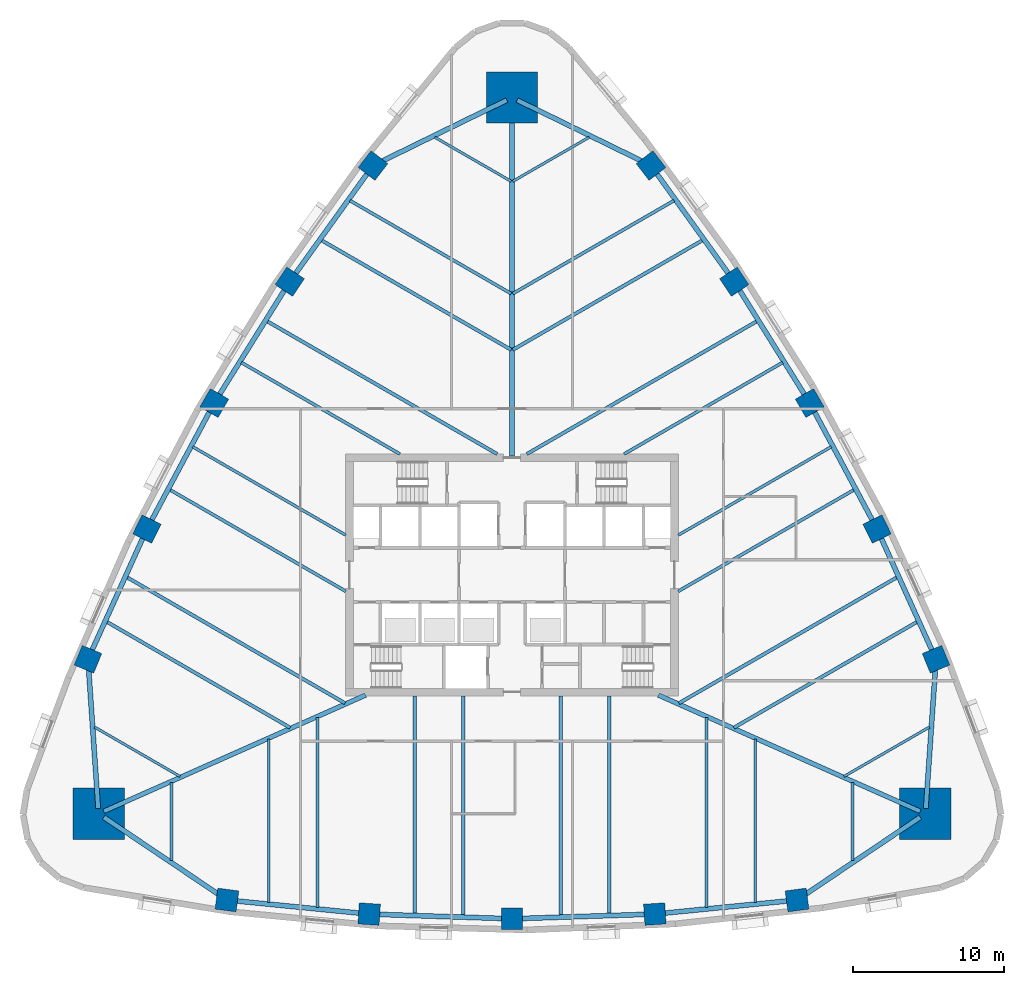
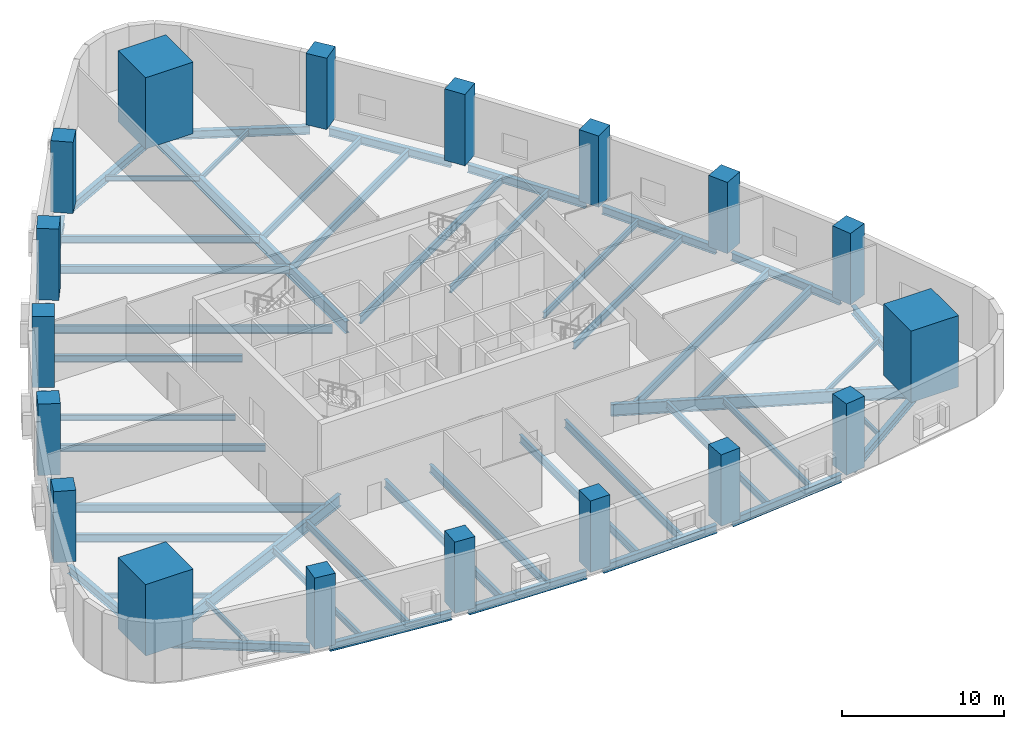
# One storey, part 1 of 11: 51 beams, 18 columns.
"""IFC4 building model written with IfcOpenShell, lengths in metres."""

import ifcopenshell
import ifcopenshell.guid

model = None  # the IFC model being written
_history = None  # IfcOwnerHistory: only IFC2X3 demands one
_inside = {}  # id of a spatial element -> (the spatial element, [elements in it])
_under = {}  # id of a project, library or spatial element -> (it, [spatial elements below it])
_declared = {}  # id of a project -> (the project, [libraries it declares])
_typed = {}  # id of a type object -> (the type object, [elements of that type])
_made_of = {}  # id of a material, layer set ... -> (it, [elements and type objects made of it])


def new_model(schema):
    """Start an empty IFC model of exactly this schema.

    Asked for "IFC4X3", IfcOpenShell would pick the latest addendum, in which some entities
    have other attributes; the version numbers below select the first issue.
    IFC2X3 requires an IfcOwnerHistory on every rooted entity: one is made here for all.
    """
    global model, _history
    if schema == "IFC4X3":
        model = ifcopenshell.file(schema_version=(4, 3, 0, 0))
    else:
        model = ifcopenshell.file(schema=schema)
    _inside.clear()
    _under.clear()
    _declared.clear()
    _typed.clear()
    _made_of.clear()
    _history = None
    if model.schema == "IFC2X3":
        org = make("IfcOrganization", Name="unknown")
        user = make(
            "IfcPersonAndOrganization",
            ThePerson=make("IfcPerson", FamilyName="unknown"),
            TheOrganization=org,
        )
        app = make(
            "IfcApplication",
            ApplicationDeveloper=org,
            Version="unknown",
            ApplicationFullName="unknown",
            ApplicationIdentifier="unknown",
        )
        _history = make(
            "IfcOwnerHistory",
            OwningUser=user,
            OwningApplication=app,
            ChangeAction="ADDED",
            CreationDate=0,
        )
    return model


def make(cls, **values):
    """One entity of the class cls with the attributes given. An attribute that is None is left unset."""
    return model.create_entity(
        cls, **{name: value for name, value in values.items() if value is not None}
    )


def rooted(cls, **values):
    """An entity with a GlobalId (a new one), such as an element, a storey or a relation."""
    return make(cls, GlobalId=ifcopenshell.guid.new(), OwnerHistory=_history, **values)


def si_unit(unit_type, name, prefix=None):
    """IfcSIUnit, for example si_unit("LENGTHUNIT", "METRE", prefix="MILLI")."""
    return make("IfcSIUnit", UnitType=unit_type, Prefix=prefix, Name=name)


def assignment(units):
    """IfcUnitAssignment: the units of a project."""
    return None if units is None else make("IfcUnitAssignment", Units=units)


def point(xyz):
    """IfcCartesianPoint."""
    return None if xyz is None else make("IfcCartesianPoint", Coordinates=xyz)


def direction(xyz):
    """IfcDirection."""
    return None if xyz is None else make("IfcDirection", DirectionRatios=xyz)


def frame(location, z_axis=None, x_axis=None):
    """IfcAxis2Placement3D, a coordinate frame: its origin and axes. An axis left out is left unset."""
    return make(
        "IfcAxis2Placement3D",
        Location=point(location),
        Axis=direction(z_axis),
        RefDirection=direction(x_axis),
    )


def frame_2d(location, x_axis=None):
    """IfcAxis2Placement2D, a coordinate frame in the plane: its origin and x axis."""
    return make(
        "IfcAxis2Placement2D", Location=point(location), RefDirection=direction(x_axis)
    )


def origin():
    """The frame at (0, 0, 0) with its axes left unset."""
    return frame((0.0, 0.0, 0.0))


def origin_2d():
    """The frame at (0, 0) in the plane with its x axis left unset."""
    return frame_2d((0.0, 0.0))


def place(relative_to, where):
    """IfcLocalPlacement: puts the frame where relative to a parent placement (None: the world)."""
    return make(
        "IfcLocalPlacement", PlacementRelTo=relative_to, RelativePlacement=where
    )


def context(
    kind, dimensions, precision=None, world=None, true_north=None, identifier=None
):
    """IfcGeometricRepresentationContext, for example the 3D "Model" context."""
    return make(
        "IfcGeometricRepresentationContext",
        ContextIdentifier=identifier,
        ContextType=kind,
        CoordinateSpaceDimension=dimensions,
        Precision=precision,
        WorldCoordinateSystem=world,
        TrueNorth=true_north,
    )


def subcontext(parent, identifier, kind, view, scale=None):
    """IfcGeometricRepresentationSubContext, for example "Body" below "Model"."""
    return make(
        "IfcGeometricRepresentationSubContext",
        ContextIdentifier=identifier,
        ContextType=kind,
        ParentContext=parent,
        TargetScale=scale,
        TargetView=view,
    )


def project(units=None, contexts=None):
    """IfcProject with its units and contexts."""
    return rooted(
        "IfcProject",
        Name="project",
        RepresentationContexts=contexts,
        UnitsInContext=assignment(units),
    )


def spatial(cls, under=None, at=None, **own):
    """A site, building, storey or space (cls), placed at a placement, below another one or the project."""
    s = rooted(cls, ObjectPlacement=at, **own)
    if under is not None:
        _under.setdefault(under.id(), (under, []))[1].append(s)
    return s


def profile(cls, at=None, kind="AREA", **sizes):
    """A parametric profile (cls). Its sizes go by their IFC names, for example OverallWidth=200.0."""
    return make(cls, ProfileType=kind, Position=at, **sizes)


def rectangle(**sizes):
    """IfcRectangleProfileDef."""
    return profile("IfcRectangleProfileDef", **sizes)


def i_section(**sizes):
    """IfcIShapeProfileDef."""
    return profile("IfcIShapeProfileDef", **sizes)


def extrude(swept, where, along, depth):
    """IfcExtrudedAreaSolid: the profile swept, set in the frame where, extruded along a direction by depth."""
    return make(
        "IfcExtrudedAreaSolid",
        SweptArea=swept,
        Position=where,
        ExtrudedDirection=direction(along),
        Depth=depth,
    )


def clip(a, b, op="DIFFERENCE"):
    """IfcBooleanClippingResult: the solid a cut by the half space b."""
    return make(
        "IfcBooleanClippingResult", Operator=op, FirstOperand=a, SecondOperand=b
    )


def halfspace(plane, agree):
    """IfcHalfSpaceSolid: all space on one side of the plane z = 0 of the frame plane."""
    return make(
        "IfcHalfSpaceSolid",
        BaseSurface=make("IfcPlane", Position=plane),
        AgreementFlag=agree,
    )


def shape(context_of_items, identifier, shape_type, items):
    """IfcShapeRepresentation: the items that make up one representation, for example the "Body"."""
    return make(
        "IfcShapeRepresentation",
        ContextOfItems=context_of_items,
        RepresentationIdentifier=identifier,
        RepresentationType=shape_type,
        Items=items,
    )


def material(Name=None, Category=None):
    """IfcMaterial."""
    return make("IfcMaterial", Name=Name, Category=Category)


def material_profile(
    of_material, cross_section, Name=None, Category=None, Priority=None
):
    """IfcMaterialProfile: a cross section and its material."""
    return make(
        "IfcMaterialProfile",
        Name=Name,
        Material=of_material,
        Profile=cross_section,
        Priority=Priority,
        Category=Category,
    )


def profile_set(profiles, Name=None, composite=None):
    """IfcMaterialProfileSet."""
    return make(
        "IfcMaterialProfileSet",
        Name=Name,
        MaterialProfiles=profiles,
        CompositeProfile=composite,
    )


def made_of(thing, what):
    """Note that an element or type object is made of a material, layer set ...; save() writes the relation."""
    if what is not None:
        _made_of.setdefault(what.id(), (what, []))[1].append(thing)
    return thing


def type_object(cls, material=None, **own):
    """A type object (cls), such as IfcWallType, which elements share."""
    return made_of(rooted(cls, **own), material)


def element(
    cls,
    number,
    at=None,
    inside=None,
    cuts=None,
    type_object=None,
    material=None,
    context=None,
    identifier="Body",
    shape_type=None,
    held_by="IfcProductDefinitionShape",
    body=None,
    shapes=None,
    **own,
):
    """One element of the class cls, such as IfcWall. Its Tag is "e" and its number.

    at: its placement. inside: the storey or other place that contains it. cuts: it is an
    opening in that element (IfcRelVoidsElement). A single representation is given by context,
    identifier, shape_type and body (its items); several are given by shapes. held_by: the class
    of the entity that holds the representations. save() writes the other relations.
    """
    e = rooted(cls, Tag="e%d" % number, ObjectPlacement=at, **own)
    if body is not None:
        shapes = [shape(context, identifier, shape_type, body)]
    if shapes is not None:
        e.Representation = make(held_by, Representations=shapes)
    if inside is not None:
        _inside.setdefault(inside.id(), (inside, []))[1].append(e)
    if cuts is not None:
        rooted(
            "IfcRelVoidsElement", RelatingBuildingElement=cuts, RelatedOpeningElement=e
        )
    if type_object is not None:
        _typed.setdefault(type_object.id(), (type_object, []))[1].append(e)
    return made_of(e, material)


def aggregate(whole, parts):
    """IfcRelAggregates: a whole, such as a stair, and the parts it consists of."""
    return rooted("IfcRelAggregates", RelatingObject=whole, RelatedObjects=parts)


def save(model, path):
    """Write the relations noted so far, then the file.

    IfcRelAggregates (storeys below a building ...), IfcRelContainedInSpatialStructure (elements
    in a storey), IfcRelDefinesByType, IfcRelAssociatesMaterial and IfcRelDeclares: one each for
    every whole, place, type object, material and project.
    """
    for whole, parts in _under.values():
        aggregate(whole, parts)
    for where, things in _inside.values():
        rooted(
            "IfcRelContainedInSpatialStructure",
            RelatedElements=things,
            RelatingStructure=where,
        )
    for kind, things in _typed.values():
        rooted("IfcRelDefinesByType", RelatedObjects=things, RelatingType=kind)
    for what, things in _made_of.values():
        rooted("IfcRelAssociatesMaterial", RelatedObjects=things, RelatingMaterial=what)
    for by, libraries in _declared.values():
        rooted("IfcRelDeclares", RelatingContext=by, RelatedDefinitions=libraries)
    model.write(path)


model = new_model("IFC4")

# Units and contexts
model_context = context("Model", 3, precision=1e-05, world=origin(), true_north=direction((0.0, 1.0)))
body_context = subcontext(model_context, "Body", "Model", "MODEL_VIEW")
ifc_project = project(units=[si_unit("LENGTHUNIT", "METRE"), si_unit("AREAUNIT", "SQUARE_METRE"), si_unit("VOLUMEUNIT", "CUBIC_METRE"), si_unit("PLANEANGLEUNIT", "RADIAN"), si_unit("MASSUNIT", "GRAM", prefix="KILO")], contexts=[model_context])

# Site, building, storey
site_placement = place(None, origin())
site = spatial("IfcSite", under=ifc_project, at=site_placement, CompositionType="ELEMENT")
building_placement = place(site_placement, origin())
building = spatial("IfcBuilding", under=site, at=building_placement, Name="Sierra Prisma Convention Tower", CompositionType="ELEMENT")
storey_placement = place(building_placement, frame((0.0, 0.0, 28.800048828125)))
storey = spatial("IfcBuildingStorey", under=building, at=storey_placement, Name="L04", CompositionType="ELEMENT", Elevation=28.800048828125)

# Columns
ifc_material_1 = material(Name="Concrete C70/85", Category="concrete")
ifc_material_profile_1 = material_profile(ifc_material_1, rectangle(XDim=3.39990234375, YDim=3.39990234375, at=origin_2d()), Name="Mega column RC 3400 C70/85")
ifc_profile_set_1 = profile_set([ifc_material_profile_1], Name="Concrete C70/85")
column_type_1 = type_object("IfcColumnType", Name="Mega column RC 3400 C70/85", PredefinedType="COLUMN", material=ifc_profile_set_1)
for number, where, z_axis, x_axis, name in (
    (1, (27.35498046875, -15.79345703125, 0.0), (0.0, 0.0, 1.0), (1.0, 0.0, 0.0), "Mega column SE L04"),
    (2, (0.0, 31.5869140625, 0.0), (0.0, 0.0, 1.0), (1.0, 0.0, 0.0), "Mega column N L04"),
    (3, (-27.35498046875, -15.79345703125, 0.0), (0.0, 0.0, 1.0), (1.0, 0.0, 0.0), "Mega column SW L04"),
):
    element("IfcColumn", number, at=place(storey_placement, frame(where, z_axis=z_axis, x_axis=x_axis)), inside=storey, type_object=column_type_1, Name=name, PredefinedType="COLUMN", context=body_context, shape_type="SweptSolid", body=[
        extrude(rectangle(XDim=3.39990234375, YDim=3.39990234375, at=origin_2d()), origin(), (0.0, 0.0, 1.0), 5.39990234375),
    ])
ifc_material_2 = material(Name="Concrete C70/85", Category="concrete")
ifc_material_profile_2 = material_profile(ifc_material_2, rectangle(XDim=1.39990234375, YDim=1.39990234375, at=origin_2d()), Name="Perimeter column RC 1400 C70/85")
ifc_profile_set_2 = profile_set([ifc_material_profile_2], Name="Concrete C70/85")
column_type_2 = type_object("IfcColumnType", Name="Perimeter column RC 1400 C70/85", PredefinedType="COLUMN", material=ifc_profile_set_2)
for number, where, z_axis, x_axis, name in (
    (4, (-18.85986328125, -21.50830078125, 0.0), (0.0, 0.0, 1.0), (-0.991367231014, 0.131114504428, 0.0), "Perimeter column S-1 L04"),
    (5, (-9.450439453125, -22.439208984375, 0.0), (0.0, 0.0, 1.0), (-0.997839473817, 0.06569919705, 0.0), "Perimeter column S-2 L04"),
    (6, (0.0, -22.75, 0.0), (0.0, 0.0, 1.0), (1.0, 0.0, 0.0), "Perimeter column S-3 L04"),
    (7, (9.450439453125, -22.439208984375, 0.0), (0.0, 0.0, 1.0), (0.997839473817, 0.06569919705, 0.0), "Perimeter column S-4 L04"),
    (8, (18.85986328125, -21.50830078125, 0.0), (0.0, 0.0, 1.0), (0.991367231014, 0.131114504428, 0.0), "Perimeter column S-5 L04"),
):
    element("IfcColumn", number, at=place(storey_placement, frame(where, z_axis=z_axis, x_axis=x_axis)), inside=storey, type_object=column_type_2, Name=name, PredefinedType="COLUMN", context=body_context, shape_type="SweptSolid", body=[
        extrude(rectangle(XDim=1.39990234375, YDim=1.39990234375, at=origin_2d()), origin(), (0.0, 0.0, 1.0), 5.39990234375),
    ])
for number, where, z_axis, x_axis, name in (
    (9, (28.056640625, -5.5791015625, 0.0), (0.0, 0.0, 1.0), (-0.382135123868, 0.924106458752, 0.0), "Perimeter column NE-1 L04"),
    (10, (24.158203125, 3.035400390625, 0.0), (0.0, 0.0, 1.0), (-0.442022563255, 0.897003931749, 0.0), "Perimeter column NE-2 L04"),
    (11, (19.7021484375, 11.375, 0.0), (0.0, 0.0, 1.0), (-0.5, 0.866025403784, 0.0), "Perimeter column NE-3 L04"),
    (12, (14.707763671875, 19.40380859375, 0.0), (0.0, 0.0, 1.0), (-0.555816910562, 0.8313047347, 0.0), "Perimeter column NE-4 L04"),
    (13, (9.19677734375, 27.08740234375, 0.0), (0.0, 0.0, 1.0), (-0.609232107146, 0.792991954324, 0.0), "Perimeter column NE-5 L04"),
    (14, (-9.19677734375, 27.08740234375, 0.0), (0.0, 0.0, 1.0), (0.609232107146, 0.792991954324, 0.0), "Perimeter column NW-1 L04"),
    (15, (-14.707763671875, 19.40380859375, 0.0), (0.0, 0.0, 1.0), (0.555816910562, 0.8313047347, 0.0), "Perimeter column NW-2 L04"),
    (16, (-19.7021484375, 11.375, 0.0), (0.0, 0.0, 1.0), (0.5, 0.866025403784, 0.0), "Perimeter column NW-3 L04"),
    (17, (-24.158203125, 3.035400390625, 0.0), (0.0, 0.0, 1.0), (0.442022563255, 0.897003931749, 0.0), "Perimeter column NW-4 L04"),
    (18, (-28.056640625, -5.5791015625, 0.0), (0.0, 0.0, 1.0), (0.382135123868, 0.924106458752, 0.0), "Perimeter column NW-5 L04"),
):
    element("IfcColumn", number, at=place(storey_placement, frame(where, z_axis=z_axis, x_axis=x_axis)), inside=storey, type_object=column_type_2, Name=name, PredefinedType="COLUMN", context=body_context, shape_type="SweptSolid", body=[
        clip(extrude(rectangle(XDim=1.39990234375, YDim=1.39990234375, at=origin_2d()), origin(), (0.0, 0.0, 1.0), 5.39990234375), halfspace(frame((0.0, 0.0, 5.394287109375)), False)),
    ])

# Beams
ifc_material_3 = material(Name="Steel ASTM A992 Gr 50", Category="steel")
ifc_material_profile_3 = material_profile(ifc_material_3, i_section(OverallWidth=0.172119140625, OverallDepth=0.35791015625, WebThickness=0.0078125, FlangeThickness=0.01318359375, at=origin_2d()), Name="W360x57")
ifc_profile_set_3 = profile_set([ifc_material_profile_3], Name="Steel ASTM A992 Gr 50")
beam_type_1 = type_object("IfcBeamType", Name="Floor joist W360x57", PredefinedType="JOIST", material=ifc_profile_set_3)
for number, where, z_axis, x_axis, name in (
    (19, (-22.52783203125, -18.89501953125, -0.428955078125), (0.0, 1.0, 0.0), (-1.0, 0.0, 0.0), "Floor joist L04 S02"),
    (20, (22.52783203125, -18.89501953125, -0.428955078125), (0.0, 1.0, 0.0), (-1.0, 0.0, 0.0), "Floor joist L04 S16"),
):
    element("IfcBeam", number, at=place(storey_placement, frame(where, z_axis=z_axis, x_axis=x_axis)), inside=storey, type_object=beam_type_1, Name=name, PredefinedType="JOIST", context=body_context, shape_type="SweptSolid", body=[
        extrude(i_section(OverallWidth=0.172119140625, OverallDepth=0.35791015625, WebThickness=0.0078125, FlangeThickness=0.01318359375, at=origin_2d()), origin(), (0.0, 0.0, 1.0), 5.177978515625),
    ])
beam_1_placement = place(storey_placement, frame((27.62744140625, -10.06201171875, -0.428955078125), z_axis=(-0.866022747659, -0.500004600516, 0.0), x_axis=(0.500004600516, -0.866022747659, 0.0)))
element("IfcBeam", 21, at=beam_1_placement, inside=storey, type_object=beam_type_1, Name="Floor joist L04 NE02", PredefinedType="JOIST", context=body_context, shape_type="SweptSolid", body=[
    extrude(i_section(OverallWidth=0.172119140625, OverallDepth=0.35791015625, WebThickness=0.0078125, FlangeThickness=0.01318359375, at=origin_2d()), origin(), (0.0, 0.0, 1.0), 6.54150390625),
])
for number, where, z_axis, x_axis, name in (
    (22, (5.099609375, 28.95703125, -0.428955078125), (-0.866024171998, -0.500002133511, 0.0), (0.500002133511, -0.866024171998, 0.0), "Floor joist L04 NE16"),
    (23, (-5.099609375, 28.95703125, -0.428955078125), (0.866024171998, -0.500002133511, 0.0), (0.500002133511, 0.866024171998, 0.0), "Floor joist L04 NW02"),
):
    element("IfcBeam", number, at=place(storey_placement, frame(where, z_axis=z_axis, x_axis=x_axis)), inside=storey, type_object=beam_type_1, Name=name, PredefinedType="JOIST", context=body_context, shape_type="SweptSolid", body=[
        extrude(i_section(OverallWidth=0.172119140625, OverallDepth=0.35791015625, WebThickness=0.0078125, FlangeThickness=0.01318359375, at=origin_2d()), origin(), (0.0, 0.0, 1.0), 5.818359375),
    ])
beam_2_placement = place(storey_placement, frame((-27.62744140625, -10.06201171875, -0.428955078125), z_axis=(0.866022747659, -0.500004600516, 0.0), x_axis=(0.500004600516, 0.866022747659, 0.0)))
element("IfcBeam", 24, at=beam_2_placement, inside=storey, type_object=beam_type_1, Name="Floor joist L04 NW16", PredefinedType="JOIST", context=body_context, shape_type="SweptSolid", body=[
    extrude(i_section(OverallWidth=0.172119140625, OverallDepth=0.35791015625, WebThickness=0.0078125, FlangeThickness=0.01318359375, at=origin_2d()), origin(), (0.0, 0.0, 1.0), 6.54150390625),
])
ifc_material_4 = material(Name="Steel ASTM A992 Gr 50", Category="steel")
ifc_material_profile_4 = material_profile(ifc_material_4, i_section(OverallWidth=0.18994140625, OverallDepth=0.45703125, WebThickness=0.009033203125, FlangeThickness=0.014404296875, at=origin_2d()), Name="W460x74")
ifc_profile_set_4 = profile_set([ifc_material_profile_4], Name="Steel ASTM A992 Gr 50")
beam_type_2 = type_object("IfcBeamType", Name="Floor joist W460x74", PredefinedType="JOIST", material=ifc_profile_set_4)
for number, where, z_axis, x_axis, name in (
    (25, (-16.09130859375, -21.6689453125, -0.478515625), (0.0, 1.0, 0.0), (-1.0, 0.0, 0.0), "Floor joist L04 S04"),
    (26, (16.09130859375, -21.6689453125, -0.478515625), (0.0, 1.0, 0.0), (-1.0, 0.0, 0.0), "Floor joist L04 S14"),
):
    element("IfcBeam", number, at=place(storey_placement, frame(where, z_axis=z_axis, x_axis=x_axis)), inside=storey, type_object=beam_type_2, Name=name, PredefinedType="JOIST", context=body_context, shape_type="SweptSolid", body=[
        extrude(i_section(OverallWidth=0.18994140625, OverallDepth=0.45703125, WebThickness=0.009033203125, FlangeThickness=0.014404296875, at=origin_2d()), origin(), (0.0, 0.0, 1.0), 10.8095703125),
    ])
for number, where, z_axis, x_axis, name in (
    (27, (21.1220703125, 8.478759765625, -0.478515625), (-0.866024880635, -0.500000906121, 0.0), (0.500000906121, -0.866024880635, 0.0), "Floor joist L04 NE08"),
    (28, (-21.1220703125, 8.478759765625, -0.478515625), (0.866024880635, -0.500000906121, 0.0), (0.500000906121, 0.866024880635, 0.0), "Floor joist L04 NW10"),
):
    element("IfcBeam", number, at=place(storey_placement, frame(where, z_axis=z_axis, x_axis=x_axis)), inside=storey, type_object=beam_type_2, Name=name, PredefinedType="JOIST", context=body_context, shape_type="SweptSolid", body=[
        extrude(i_section(OverallWidth=0.18994140625, OverallDepth=0.45703125, WebThickness=0.009033203125, FlangeThickness=0.014404296875, at=origin_2d()), origin(), (0.0, 0.0, 1.0), 11.68798828125),
    ])
ifc_material_5 = material(Name="Steel ASTM A992 Gr 50", Category="steel")
ifc_material_profile_5 = material_profile(ifc_material_5, i_section(OverallWidth=0.208984375, OverallDepth=0.532958984375, WebThickness=0.01025390625, FlangeThickness=0.015625, at=origin_2d()), Name="W530x92")
ifc_profile_set_5 = profile_set([ifc_material_profile_5], Name="Steel ASTM A992 Gr 50")
beam_type_3 = type_object("IfcBeamType", Name="Floor joist W530x92", PredefinedType="JOIST", material=ifc_profile_set_5)
for number, where, z_axis, x_axis, name in (
    (29, (-12.873046875, -21.9873046875, -0.5166015625), (0.0, 1.0, 0.0), (-1.0, 0.0, 0.0), "Floor joist L04 S05"),
    (30, (12.873046875, -21.9873046875, -0.5166015625), (0.0, 1.0, 0.0), (-1.0, 0.0, 0.0), "Floor joist L04 S13"),
):
    element("IfcBeam", number, at=place(storey_placement, frame(where, z_axis=z_axis, x_axis=x_axis)), inside=storey, type_object=beam_type_3, Name=name, PredefinedType="JOIST", context=body_context, shape_type="SweptSolid", body=[
        extrude(i_section(OverallWidth=0.208984375, OverallDepth=0.532958984375, WebThickness=0.01025390625, FlangeThickness=0.015625, at=origin_2d()), origin(), (0.0, 0.0, 1.0), 12.556640625),
    ])
beam_3_placement = place(storey_placement, frame((22.639404296875, 5.638671875, -0.5166015625), z_axis=(-0.866026773083, -0.499997628298, 0.0), x_axis=(0.499997628298, -0.866026773083, 0.0)))
element("IfcBeam", 31, at=beam_3_placement, inside=storey, type_object=beam_type_3, Name="Floor joist L04 NE07", PredefinedType="JOIST", context=body_context, shape_type="SweptSolid", body=[
    extrude(i_section(OverallWidth=0.208984375, OverallDepth=0.532958984375, WebThickness=0.01025390625, FlangeThickness=0.015625, at=origin_2d()), origin(), (0.0, 0.0, 1.0), 13.43994140625),
])
beam_4_placement = place(storey_placement, frame((17.90380859375, 14.052978515625, -0.5166015625), z_axis=(-0.866021694642, -0.500006424369, 0.0), x_axis=(0.500006424369, -0.866021694642, 0.0)))
element("IfcBeam", 32, at=beam_4_placement, inside=storey, type_object=beam_type_3, Name="Floor joist L04 NE10", PredefinedType="JOIST", context=body_context, shape_type="SweptSolid", body=[
    extrude(i_section(OverallWidth=0.208984375, OverallDepth=0.532958984375, WebThickness=0.01025390625, FlangeThickness=0.015625, at=origin_2d()), origin(), (0.0, 0.0, 1.0), 12.105712890625),
])
for number, where, z_axis, x_axis, name in (
    (33, (10.72021484375, 24.769775390625, -0.5166015625), (-0.866031330991, -0.499989733636, 0.0), (0.499989733636, -0.866031330991, 0.0), "Floor joist L04 NE14"),
    (34, (-10.72021484375, 24.769775390625, -0.5166015625), (0.866031330991, -0.499989733636, 0.0), (0.499989733636, 0.866031330991, 0.0), "Floor joist L04 NW04"),
):
    element("IfcBeam", number, at=place(storey_placement, frame(where, z_axis=z_axis, x_axis=x_axis)), inside=storey, type_object=beam_type_3, Name=name, PredefinedType="JOIST", context=body_context, shape_type="SweptSolid", body=[
        extrude(i_section(OverallWidth=0.208984375, OverallDepth=0.532958984375, WebThickness=0.01025390625, FlangeThickness=0.015625, at=origin_2d()), origin(), (0.0, 0.0, 1.0), 12.308349609375),
    ])
beam_5_placement = place(storey_placement, frame((-17.90380859375, 14.052978515625, -0.5166015625), z_axis=(0.866021694642, -0.500006424369, 0.0), x_axis=(0.500006424369, 0.866021694642, 0.0)))
element("IfcBeam", 35, at=beam_5_placement, inside=storey, type_object=beam_type_3, Name="Floor joist L04 NW08", PredefinedType="JOIST", context=body_context, shape_type="SweptSolid", body=[
    extrude(i_section(OverallWidth=0.208984375, OverallDepth=0.532958984375, WebThickness=0.01025390625, FlangeThickness=0.015625, at=origin_2d()), origin(), (0.0, 0.0, 1.0), 12.105712890625),
])
beam_6_placement = place(storey_placement, frame((-22.639404296875, 5.638671875, -0.5166015625), z_axis=(0.866026773083, -0.499997628298, 0.0), x_axis=(0.499997628298, 0.866026773083, 0.0)))
element("IfcBeam", 36, at=beam_6_placement, inside=storey, type_object=beam_type_3, Name="Floor joist L04 NW11", PredefinedType="JOIST", context=body_context, shape_type="SweptSolid", body=[
    extrude(i_section(OverallWidth=0.208984375, OverallDepth=0.532958984375, WebThickness=0.01025390625, FlangeThickness=0.015625, at=origin_2d()), origin(), (0.0, 0.0, 1.0), 13.43994140625),
])
ifc_material_6 = material(Name="Steel ASTM A992 Gr 50", Category="steel")
ifc_material_profile_6 = material_profile(ifc_material_6, i_section(OverallWidth=0.22802734375, OverallDepth=0.60302734375, WebThickness=0.010498046875, FlangeThickness=0.014892578125, at=origin_2d()), Name="W610x101")
ifc_profile_set_6 = profile_set([ifc_material_profile_6], Name="Steel ASTM A992 Gr 50")
beam_type_4 = type_object("IfcBeamType", Name="Floor joist W610x101", PredefinedType="JOIST", material=ifc_profile_set_6)
beam_7_placement = place(storey_placement, frame((-6.4365234375, -22.42578125, -0.551513671875), z_axis=(0.0, 1.0, 0.0), x_axis=(-1.0, 0.0, 0.0)))
element("IfcBeam", 37, at=beam_7_placement, inside=storey, type_object=beam_type_4, Name="Floor joist L04 S07", PredefinedType="JOIST", context=body_context, shape_type="SweptSolid", body=[
    extrude(i_section(OverallWidth=0.22802734375, OverallDepth=0.60302734375, WebThickness=0.010498046875, FlangeThickness=0.014892578125, at=origin_2d()), origin(), (0.0, 0.0, 1.0), 14.42578125),
])
for number, where, z_axis, x_axis, name in (
    (38, (-3.21826171875, -22.531494140625, -0.551513671875), (0.0, 1.0, 0.0), (-1.0, 0.0, 0.0), "Floor joist L04 S08"),
    (39, (3.21826171875, -22.531494140625, -0.551513671875), (0.0, 1.0, 0.0), (-1.0, 0.0, 0.0), "Floor joist L04 S10"),
):
    element("IfcBeam", number, at=place(storey_placement, frame(where, z_axis=z_axis, x_axis=x_axis)), inside=storey, type_object=beam_type_4, Name=name, PredefinedType="JOIST", context=body_context, shape_type="SweptSolid", body=[
        extrude(i_section(OverallWidth=0.22802734375, OverallDepth=0.60302734375, WebThickness=0.010498046875, FlangeThickness=0.014892578125, at=origin_2d()), origin(), (0.0, 0.0, 1.0), 14.531494140625),
    ])
beam_8_placement = place(storey_placement, frame((6.4365234375, -22.42578125, -0.551513671875), z_axis=(0.0, 1.0, 0.0), x_axis=(-1.0, 0.0, 0.0)))
element("IfcBeam", 40, at=beam_8_placement, inside=storey, type_object=beam_type_4, Name="Floor joist L04 S11", PredefinedType="JOIST", context=body_context, shape_type="SweptSolid", body=[
    extrude(i_section(OverallWidth=0.22802734375, OverallDepth=0.60302734375, WebThickness=0.010498046875, FlangeThickness=0.014892578125, at=origin_2d()), origin(), (0.0, 0.0, 1.0), 14.42578125),
])
beam_9_placement = place(storey_placement, frame((26.8115234375, -3.10107421875, -0.551513671875), z_axis=(-0.866032862007, -0.499987081758, 0.0), x_axis=(0.499987081758, -0.866032862007, 0.0)))
element("IfcBeam", 41, at=beam_9_placement, inside=storey, type_object=beam_type_4, Name="Floor joist L04 NE04", PredefinedType="JOIST", context=body_context, shape_type="SweptSolid", body=[
    extrude(i_section(OverallWidth=0.22802734375, OverallDepth=0.60302734375, WebThickness=0.010498046875, FlangeThickness=0.014892578125, at=origin_2d()), origin(), (0.0, 0.0, 1.0), 14.002197265625),
])
beam_10_placement = place(storey_placement, frame((25.47802734375, -0.15478515625, -0.551513671875), z_axis=(-0.866027491634, -0.499996383721, 0.0), x_axis=(0.499996383721, -0.866027491634, 0.0)))
element("IfcBeam", 42, at=beam_10_placement, inside=storey, type_object=beam_type_4, Name="Floor joist L04 NE05", PredefinedType="JOIST", context=body_context, shape_type="SweptSolid", body=[
    extrude(i_section(OverallWidth=0.22802734375, OverallDepth=0.60302734375, WebThickness=0.010498046875, FlangeThickness=0.014892578125, at=origin_2d()), origin(), (0.0, 0.0, 1.0), 16.6640625),
])
beam_11_placement = place(storey_placement, frame((16.203125, 16.787109375, -0.551513671875), z_axis=(-0.866025498715, -0.499999835575, 0.0), x_axis=(0.499999835575, -0.866025498715, 0.0)))
element("IfcBeam", 43, at=beam_11_placement, inside=storey, type_object=beam_type_4, Name="Floor joist L04 NE11", PredefinedType="JOIST", context=body_context, shape_type="SweptSolid", body=[
    extrude(i_section(OverallWidth=0.22802734375, OverallDepth=0.60302734375, WebThickness=0.010498046875, FlangeThickness=0.014892578125, at=origin_2d()), origin(), (0.0, 0.0, 1.0), 17.57421875),
])
for number, where, z_axis, x_axis, name in (
    (44, (12.60498046875, 22.14208984375, -0.551513671875), (-0.866024193569, -0.500002096149, 0.0), (0.500002096149, -0.866024193569, 0.0), "Floor joist L04 NE13"),
    (45, (-12.60498046875, 22.14208984375, -0.551513671875), (0.866024193569, -0.500002096149, 0.0), (0.500002096149, 0.866024193569, 0.0), "Floor joist L04 NW05"),
):
    element("IfcBeam", number, at=place(storey_placement, frame(where, z_axis=z_axis, x_axis=x_axis)), inside=storey, type_object=beam_type_4, Name=name, PredefinedType="JOIST", context=body_context, shape_type="SweptSolid", body=[
        extrude(i_section(OverallWidth=0.22802734375, OverallDepth=0.60302734375, WebThickness=0.010498046875, FlangeThickness=0.014892578125, at=origin_2d()), origin(), (0.0, 0.0, 1.0), 14.48486328125),
    ])
beam_12_placement = place(storey_placement, frame((-16.203125, 16.787109375, -0.551513671875), z_axis=(0.866025498715, -0.499999835575, 0.0), x_axis=(0.499999835575, 0.866025498715, 0.0)))
element("IfcBeam", 46, at=beam_12_placement, inside=storey, type_object=beam_type_4, Name="Floor joist L04 NW07", PredefinedType="JOIST", context=body_context, shape_type="SweptSolid", body=[
    extrude(i_section(OverallWidth=0.22802734375, OverallDepth=0.60302734375, WebThickness=0.010498046875, FlangeThickness=0.014892578125, at=origin_2d()), origin(), (0.0, 0.0, 1.0), 17.57421875),
])
beam_13_placement = place(storey_placement, frame((-25.47802734375, -0.15478515625, -0.551513671875), z_axis=(0.866027491634, -0.499996383721, 0.0), x_axis=(0.499996383721, 0.866027491634, 0.0)))
element("IfcBeam", 47, at=beam_13_placement, inside=storey, type_object=beam_type_4, Name="Floor joist L04 NW13", PredefinedType="JOIST", context=body_context, shape_type="SweptSolid", body=[
    extrude(i_section(OverallWidth=0.22802734375, OverallDepth=0.60302734375, WebThickness=0.010498046875, FlangeThickness=0.014892578125, at=origin_2d()), origin(), (0.0, 0.0, 1.0), 16.6640625),
])
beam_14_placement = place(storey_placement, frame((-26.8115234375, -3.10107421875, -0.551513671875), z_axis=(0.866032862007, -0.499987081758, 0.0), x_axis=(0.499987081758, 0.866032862007, 0.0)))
element("IfcBeam", 48, at=beam_14_placement, inside=storey, type_object=beam_type_4, Name="Floor joist L04 NW14", PredefinedType="JOIST", context=body_context, shape_type="SweptSolid", body=[
    extrude(i_section(OverallWidth=0.22802734375, OverallDepth=0.60302734375, WebThickness=0.010498046875, FlangeThickness=0.014892578125, at=origin_2d()), origin(), (0.0, 0.0, 1.0), 14.002197265625),
])
ifc_material_7 = material(Name="Steel ASTM A992 Gr 50", Category="steel")
ifc_material_profile_7 = material_profile(ifc_material_7, i_section(OverallWidth=0.303955078125, OverallDepth=0.903076171875, WebThickness=0.01513671875, FlangeThickness=0.02001953125, at=origin_2d()), Name="W920x201")
ifc_profile_set_7 = profile_set([ifc_material_profile_7], Name="Steel ASTM A992 Gr 50")
beam_type_5 = type_object("IfcBeamType", Name="Radial girder W920x201", PredefinedType="BEAM", material=ifc_profile_set_7)
beam_15_placement = place(storey_placement, frame((27.01513671875, -15.642578125, -0.70166015625), z_axis=(-0.91398196052, 0.405754822331, 0.0), x_axis=(-0.405754822331, -0.91398196052, 0.0)))
element("IfcBeam", 49, at=beam_15_placement, inside=storey, type_object=beam_type_5, Name="Radial girder L04 SE", PredefinedType="BEAM", context=body_context, shape_type="SweptSolid", body=[
    extrude(i_section(OverallWidth=0.303955078125, OverallDepth=0.903076171875, WebThickness=0.01513671875, FlangeThickness=0.02001953125, at=origin_2d()), origin(), (0.0, 0.0, 1.0), 18.955078125),
])
beam_16_placement = place(storey_placement, frame((0.0, 31.2470703125, -0.70166015625), z_axis=(0.0, -1.0, 0.0), x_axis=(1.0, 0.0, 0.0)))
element("IfcBeam", 50, at=beam_16_placement, inside=storey, type_object=beam_type_5, Name="Radial girder L04 N", PredefinedType="BEAM", context=body_context, shape_type="SweptSolid", body=[
    extrude(i_section(OverallWidth=0.303955078125, OverallDepth=0.903076171875, WebThickness=0.01513671875, FlangeThickness=0.02001953125, at=origin_2d()), origin(), (0.0, 0.0, 1.0), 23.3671875),
])
beam_17_placement = place(storey_placement, frame((-27.01513671875, -15.642578125, -0.70166015625), z_axis=(0.91398196052, 0.405754822331, 0.0), x_axis=(-0.405754822331, 0.91398196052, 0.0)))
element("IfcBeam", 51, at=beam_17_placement, inside=storey, type_object=beam_type_5, Name="Radial girder L04 SW", PredefinedType="BEAM", context=body_context, shape_type="SweptSolid", body=[
    extrude(i_section(OverallWidth=0.303955078125, OverallDepth=0.903076171875, WebThickness=0.01513671875, FlangeThickness=0.02001953125, at=origin_2d()), origin(), (0.0, 0.0, 1.0), 18.955078125),
])
ifc_material_8 = material(Name="Steel ASTM A992 Gr 50", Category="steel")
ifc_material_profile_8 = material_profile(ifc_material_8, i_section(OverallWidth=0.324951171875, OverallDepth=0.615966796875, WebThickness=0.013916015625, FlangeThickness=0.021484375, at=origin_2d()), Name="W610x174")
ifc_profile_set_8 = profile_set([ifc_material_profile_8], Name="Steel ASTM A992 Gr 50")
beam_type_6 = type_object("IfcBeamType", Name="Spandrel beam W610x174", PredefinedType="BEAM", material=ifc_profile_set_8)
beam_18_placement = place(storey_placement, frame((-27.01513671875, -16.022216796875, -0.55810546875), z_axis=(0.829740498665, -0.558149357139, 0.0), x_axis=(0.558149357139, 0.829740498665, 0.0)))
element("IfcBeam", 52, at=beam_18_placement, inside=storey, type_object=beam_type_6, Name="Spandrel L04-01", PredefinedType="BEAM", context=body_context, shape_type="SweptSolid", body=[
    extrude(i_section(OverallWidth=0.324951171875, OverallDepth=0.615966796875, WebThickness=0.013916015625, FlangeThickness=0.021484375, at=origin_2d()), origin(), (0.0, 0.0, 1.0), 9.167236328125),
])
beam_19_placement = place(storey_placement, frame((-18.2822265625, -21.5654296875, -0.55810546875), z_axis=(0.99514126278, -0.098457438079, 0.0), x_axis=(0.098457438079, 0.99514126278, 0.0)))
element("IfcBeam", 53, at=beam_19_placement, inside=storey, type_object=beam_type_6, Name="Spandrel L04-02", PredefinedType="BEAM", context=body_context, shape_type="SweptSolid", body=[
    extrude(i_section(OverallWidth=0.324951171875, OverallDepth=0.615966796875, WebThickness=0.013916015625, FlangeThickness=0.021484375, at=origin_2d()), origin(), (0.0, 0.0, 1.0), 8.29443359375),
])
for number, where, z_axis, x_axis, name in (
    (54, (-8.870361328125, -22.458251953125, -0.55810546875), (0.999459413184, -0.032876760742, 0.0), (0.032876760742, 0.999459413184, 0.0), "Spandrel L04-03"),
    (55, (0.580078125, -22.73095703125, -0.55810546875), (0.999459413184, 0.032876760742, 0.0), (-0.032876760742, 0.999459413184, 0.0), "Spandrel L04-04"),
):
    element("IfcBeam", number, at=place(storey_placement, frame(where, z_axis=z_axis, x_axis=x_axis)), inside=storey, type_object=beam_type_6, Name=name, PredefinedType="BEAM", context=body_context, shape_type="SweptSolid", body=[
        extrude(i_section(OverallWidth=0.324951171875, OverallDepth=0.615966796875, WebThickness=0.013916015625, FlangeThickness=0.021484375, at=origin_2d()), origin(), (0.0, 0.0, 1.0), 8.294677734375),
    ])
beam_20_placement = place(storey_placement, frame((10.028076171875, -22.382080078125, -0.55810546875), z_axis=(0.99514126278, 0.098457438079, 0.0), x_axis=(-0.098457438079, 0.99514126278, 0.0)))
element("IfcBeam", 56, at=beam_20_placement, inside=storey, type_object=beam_type_6, Name="Spandrel L04-05", PredefinedType="BEAM", context=body_context, shape_type="SweptSolid", body=[
    extrude(i_section(OverallWidth=0.324951171875, OverallDepth=0.615966796875, WebThickness=0.013916015625, FlangeThickness=0.021484375, at=origin_2d()), origin(), (0.0, 0.0, 1.0), 8.29443359375),
])
beam_21_placement = place(storey_placement, frame((19.40869140625, -21.138916015625, -0.55810546875), z_axis=(0.829740498665, 0.558149357139, 0.0), x_axis=(-0.558149357139, 0.829740498665, 0.0)))
element("IfcBeam", 57, at=beam_21_placement, inside=storey, type_object=beam_type_6, Name="Spandrel L04-06", PredefinedType="BEAM", context=body_context, shape_type="SweptSolid", body=[
    extrude(i_section(OverallWidth=0.324951171875, OverallDepth=0.615966796875, WebThickness=0.013916015625, FlangeThickness=0.021484375, at=origin_2d()), origin(), (0.0, 0.0, 1.0), 9.167236328125),
])
beam_22_placement = place(storey_placement, frame((27.37841796875, -15.453369140625, -0.55810546875), z_axis=(0.06851541914, 0.997650057555, 0.0), x_axis=(-0.997650057555, 0.06851541914, 0.0)))
element("IfcBeam", 58, at=beam_22_placement, inside=storey, type_object=beam_type_6, Name="Spandrel L04-07", PredefinedType="BEAM", context=body_context, shape_type="SweptSolid", body=[
    extrude(i_section(OverallWidth=0.324951171875, OverallDepth=0.615966796875, WebThickness=0.013916015625, FlangeThickness=0.021484375, at=origin_2d()), origin(), (0.0, 0.0, 1.0), 9.236083984375),
])
beam_23_placement = place(storey_placement, frame((27.8173828125, -5.05029296875, -0.55810546875), z_axis=(-0.41230108384, 0.911047647637, 0.0), x_axis=(-0.911047647637, -0.41230108384, 0.0)))
element("IfcBeam", 59, at=beam_23_placement, inside=storey, type_object=beam_type_6, Name="Spandrel L04-08", PredefinedType="BEAM", context=body_context, shape_type="SweptSolid", body=[
    extrude(i_section(OverallWidth=0.324951171875, OverallDepth=0.615966796875, WebThickness=0.013916015625, FlangeThickness=0.021484375, at=origin_2d()), origin(), (0.0, 0.0, 1.0), 8.294677734375),
])
beam_24_placement = place(storey_placement, frame((23.884521484375, 3.54736328125, -0.55810546875), z_axis=(-0.471267929576, 0.881990101165, 0.0), x_axis=(-0.881990101165, -0.471267929576, 0.0)))
element("IfcBeam", 60, at=beam_24_placement, inside=storey, type_object=beam_type_6, Name="Spandrel L04-09", PredefinedType="BEAM", context=body_context, shape_type="SweptSolid", body=[
    extrude(i_section(OverallWidth=0.324951171875, OverallDepth=0.615966796875, WebThickness=0.013916015625, FlangeThickness=0.021484375, at=origin_2d()), origin(), (0.0, 0.0, 1.0), 8.29443359375),
])
beam_25_placement = place(storey_placement, frame((19.3955078125, 11.867919921875, -0.55810546875), z_axis=(-0.528185415417, 0.849129063771, 0.0), x_axis=(-0.849129063771, -0.528185415417, 0.0)))
element("IfcBeam", 61, at=beam_25_placement, inside=storey, type_object=beam_type_6, Name="Spandrel L04-10", PredefinedType="BEAM", context=body_context, shape_type="SweptSolid", body=[
    extrude(i_section(OverallWidth=0.324951171875, OverallDepth=0.615966796875, WebThickness=0.013916015625, FlangeThickness=0.021484375, at=origin_2d()), origin(), (0.0, 0.0, 1.0), 8.294677734375),
])
beam_26_placement = place(storey_placement, frame((14.36962890625, 19.87548828125, -0.55810546875), z_axis=(-0.582854647492, 0.812576433265, 0.0), x_axis=(-0.812576433265, -0.582854647492, 0.0)))
element("IfcBeam", 62, at=beam_26_placement, inside=storey, type_object=beam_type_6, Name="Spandrel L04-11", PredefinedType="BEAM", context=body_context, shape_type="SweptSolid", body=[
    extrude(i_section(OverallWidth=0.324951171875, OverallDepth=0.615966796875, WebThickness=0.013916015625, FlangeThickness=0.021484375, at=origin_2d()), origin(), (0.0, 0.0, 1.0), 8.294921875),
])
for number, where, z_axis, x_axis, name in (
    (63, (8.6025390625, 27.3779296875, -0.55810546875), (-0.89824258339, 0.439500012952, 0.0), (-0.439500012952, -0.89824258339, 0.0), "Spandrel L04-12"),
    (64, (-0.340087890625, 31.420654296875, -0.55810546875), (-0.89824258339, -0.439500012952, 0.0), (0.439500012952, -0.89824258339, 0.0), "Spandrel L04-13"),
):
    element("IfcBeam", number, at=place(storey_placement, frame(where, z_axis=z_axis, x_axis=x_axis)), inside=storey, type_object=beam_type_6, Name=name, PredefinedType="BEAM", context=body_context, shape_type="SweptSolid", body=[
        extrude(i_section(OverallWidth=0.324951171875, OverallDepth=0.615966796875, WebThickness=0.013916015625, FlangeThickness=0.021484375, at=origin_2d()), origin(), (0.0, 0.0, 1.0), 9.198486328125),
    ])
beam_27_placement = place(storey_placement, frame((-9.534912109375, 26.61572265625, -0.55810546875), z_axis=(-0.582854647492, -0.812576433265, 0.0), x_axis=(0.812576433265, -0.582854647492, 0.0)))
element("IfcBeam", 65, at=beam_27_placement, inside=storey, type_object=beam_type_6, Name="Spandrel L04-14", PredefinedType="BEAM", context=body_context, shape_type="SweptSolid", body=[
    extrude(i_section(OverallWidth=0.324951171875, OverallDepth=0.615966796875, WebThickness=0.013916015625, FlangeThickness=0.021484375, at=origin_2d()), origin(), (0.0, 0.0, 1.0), 8.294921875),
])
beam_28_placement = place(storey_placement, frame((-15.014404296875, 18.9111328125, -0.55810546875), z_axis=(-0.528185415417, -0.849129063771, 0.0), x_axis=(0.849129063771, -0.528185415417, 0.0)))
element("IfcBeam", 66, at=beam_28_placement, inside=storey, type_object=beam_type_6, Name="Spandrel L04-15", PredefinedType="BEAM", context=body_context, shape_type="SweptSolid", body=[
    extrude(i_section(OverallWidth=0.324951171875, OverallDepth=0.615966796875, WebThickness=0.013916015625, FlangeThickness=0.021484375, at=origin_2d()), origin(), (0.0, 0.0, 1.0), 8.294677734375),
])
beam_29_placement = place(storey_placement, frame((-19.9755859375, 10.863037109375, -0.55810546875), z_axis=(-0.471267929576, -0.881990101165, 0.0), x_axis=(0.881990101165, -0.471267929576, 0.0)))
element("IfcBeam", 67, at=beam_29_placement, inside=storey, type_object=beam_type_6, Name="Spandrel L04-16", PredefinedType="BEAM", context=body_context, shape_type="SweptSolid", body=[
    extrude(i_section(OverallWidth=0.324951171875, OverallDepth=0.615966796875, WebThickness=0.013916015625, FlangeThickness=0.021484375, at=origin_2d()), origin(), (0.0, 0.0, 1.0), 8.29443359375),
])
beam_30_placement = place(storey_placement, frame((-24.3974609375, 2.506591796875, -0.55810546875), z_axis=(-0.41230108384, -0.911047647637, 0.0), x_axis=(0.911047647637, -0.41230108384, 0.0)))
element("IfcBeam", 68, at=beam_30_placement, inside=storey, type_object=beam_type_6, Name="Spandrel L04-17", PredefinedType="BEAM", context=body_context, shape_type="SweptSolid", body=[
    extrude(i_section(OverallWidth=0.324951171875, OverallDepth=0.615966796875, WebThickness=0.013916015625, FlangeThickness=0.021484375, at=origin_2d()), origin(), (0.0, 0.0, 1.0), 8.294677734375),
])
beam_31_placement = place(storey_placement, frame((-28.01123046875, -6.239013671875, -0.55810546875), z_axis=(0.06851541914, -0.997650057555, 0.0), x_axis=(0.997650057555, 0.06851541914, 0.0)))
element("IfcBeam", 69, at=beam_31_placement, inside=storey, type_object=beam_type_6, Name="Spandrel L04-18", PredefinedType="BEAM", context=body_context, shape_type="SweptSolid", body=[
    extrude(i_section(OverallWidth=0.324951171875, OverallDepth=0.615966796875, WebThickness=0.013916015625, FlangeThickness=0.021484375, at=origin_2d()), origin(), (0.0, 0.0, 1.0), 9.236083984375),
])

save(model, "model.ifc")
